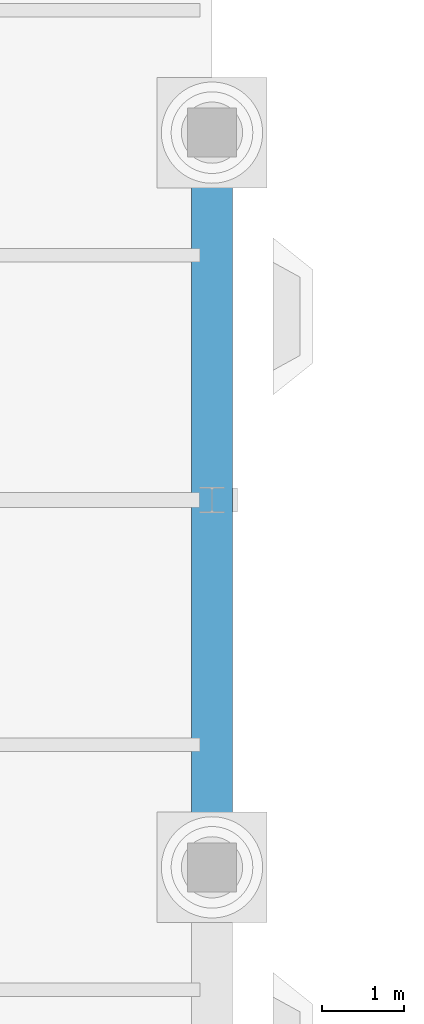
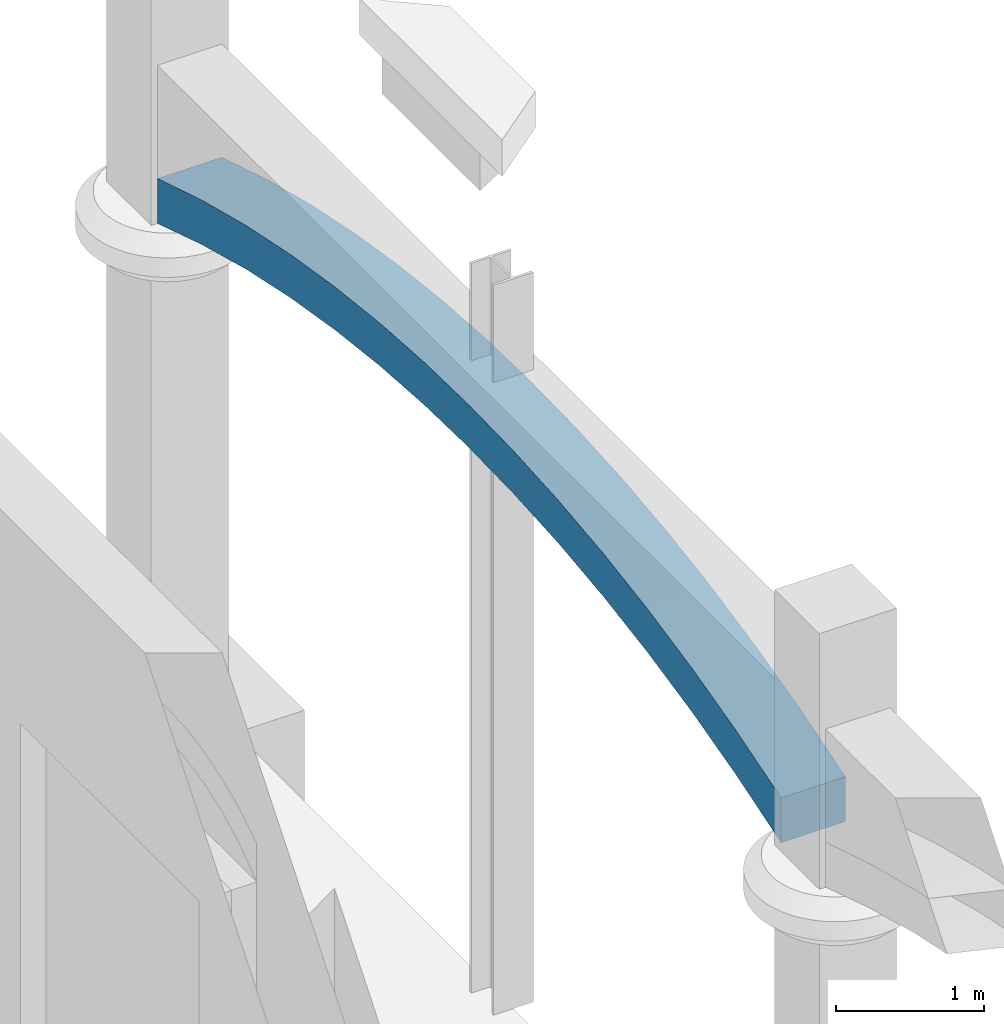
# One storey, part 37 of 106: 1 beam.
"""IFC4 building model written with IfcOpenShell, lengths in metres."""

import ifcopenshell
import ifcopenshell.guid

model = None  # the IFC model being written
_history = None  # IfcOwnerHistory: only IFC2X3 demands one
_inside = {}  # id of a spatial element -> (the spatial element, [elements in it])
_under = {}  # id of a project, library or spatial element -> (it, [spatial elements below it])
_declared = {}  # id of a project -> (the project, [libraries it declares])
_typed = {}  # id of a type object -> (the type object, [elements of that type])
_made_of = {}  # id of a material, layer set ... -> (it, [elements and type objects made of it])


def new_model(schema):
    """Start an empty IFC model of exactly this schema.

    Asked for "IFC4X3", IfcOpenShell would pick the latest addendum, in which some entities
    have other attributes; the version numbers below select the first issue.
    IFC2X3 requires an IfcOwnerHistory on every rooted entity: one is made here for all.
    """
    global model, _history
    if schema == "IFC4X3":
        model = ifcopenshell.file(schema_version=(4, 3, 0, 0))
    else:
        model = ifcopenshell.file(schema=schema)
    _inside.clear()
    _under.clear()
    _declared.clear()
    _typed.clear()
    _made_of.clear()
    _history = None
    if model.schema == "IFC2X3":
        org = make("IfcOrganization", Name="unknown")
        user = make(
            "IfcPersonAndOrganization",
            ThePerson=make("IfcPerson", FamilyName="unknown"),
            TheOrganization=org,
        )
        app = make(
            "IfcApplication",
            ApplicationDeveloper=org,
            Version="unknown",
            ApplicationFullName="unknown",
            ApplicationIdentifier="unknown",
        )
        _history = make(
            "IfcOwnerHistory",
            OwningUser=user,
            OwningApplication=app,
            ChangeAction="ADDED",
            CreationDate=0,
        )
    return model


def make(cls, **values):
    """One entity of the class cls with the attributes given. An attribute that is None is left unset."""
    return model.create_entity(
        cls, **{name: value for name, value in values.items() if value is not None}
    )


def rooted(cls, **values):
    """An entity with a GlobalId (a new one), such as an element, a storey or a relation."""
    return make(cls, GlobalId=ifcopenshell.guid.new(), OwnerHistory=_history, **values)


def si_unit(unit_type, name, prefix=None):
    """IfcSIUnit, for example si_unit("LENGTHUNIT", "METRE", prefix="MILLI")."""
    return make("IfcSIUnit", UnitType=unit_type, Prefix=prefix, Name=name)


def assignment(units):
    """IfcUnitAssignment: the units of a project."""
    return None if units is None else make("IfcUnitAssignment", Units=units)


def point(xyz):
    """IfcCartesianPoint."""
    return None if xyz is None else make("IfcCartesianPoint", Coordinates=xyz)


def direction(xyz):
    """IfcDirection."""
    return None if xyz is None else make("IfcDirection", DirectionRatios=xyz)


def frame(location, z_axis=None, x_axis=None):
    """IfcAxis2Placement3D, a coordinate frame: its origin and axes. An axis left out is left unset."""
    return make(
        "IfcAxis2Placement3D",
        Location=point(location),
        Axis=direction(z_axis),
        RefDirection=direction(x_axis),
    )


def origin():
    """The frame at (0, 0, 0) with its axes left unset."""
    return frame((0.0, 0.0, 0.0))


def place(relative_to, where):
    """IfcLocalPlacement: puts the frame where relative to a parent placement (None: the world)."""
    return make(
        "IfcLocalPlacement", PlacementRelTo=relative_to, RelativePlacement=where
    )


def context(
    kind, dimensions, precision=None, world=None, true_north=None, identifier=None
):
    """IfcGeometricRepresentationContext, for example the 3D "Model" context."""
    return make(
        "IfcGeometricRepresentationContext",
        ContextIdentifier=identifier,
        ContextType=kind,
        CoordinateSpaceDimension=dimensions,
        Precision=precision,
        WorldCoordinateSystem=world,
        TrueNorth=true_north,
    )


def subcontext(parent, identifier, kind, view, scale=None):
    """IfcGeometricRepresentationSubContext, for example "Body" below "Model"."""
    return make(
        "IfcGeometricRepresentationSubContext",
        ContextIdentifier=identifier,
        ContextType=kind,
        ParentContext=parent,
        TargetScale=scale,
        TargetView=view,
    )


def project(units=None, contexts=None):
    """IfcProject with its units and contexts."""
    return rooted(
        "IfcProject",
        Name="project",
        RepresentationContexts=contexts,
        UnitsInContext=assignment(units),
    )


def spatial(cls, under=None, at=None, **own):
    """A site, building, storey or space (cls), placed at a placement, below another one or the project."""
    s = rooted(cls, ObjectPlacement=at, **own)
    if under is not None:
        _under.setdefault(under.id(), (under, []))[1].append(s)
    return s


def polyline(points):
    """IfcPolyline through the points."""
    return make("IfcPolyline", Points=[point(p) for p in points])


def outline(outer, holes=None, kind="AREA"):
    """IfcArbitraryClosedProfileDef: a profile drawn as a closed curve; with holes, ...WithVoids."""
    if holes is None:
        return make("IfcArbitraryClosedProfileDef", ProfileType=kind, OuterCurve=outer)
    return make(
        "IfcArbitraryProfileDefWithVoids",
        ProfileType=kind,
        OuterCurve=outer,
        InnerCurves=holes,
    )


def extrude(swept, where, along, depth):
    """IfcExtrudedAreaSolid: the profile swept, set in the frame where, extruded along a direction by depth."""
    return make(
        "IfcExtrudedAreaSolid",
        SweptArea=swept,
        Position=where,
        ExtrudedDirection=direction(along),
        Depth=depth,
    )


def shape(context_of_items, identifier, shape_type, items):
    """IfcShapeRepresentation: the items that make up one representation, for example the "Body"."""
    return make(
        "IfcShapeRepresentation",
        ContextOfItems=context_of_items,
        RepresentationIdentifier=identifier,
        RepresentationType=shape_type,
        Items=items,
    )


def material(Name=None, Category=None):
    """IfcMaterial."""
    return make("IfcMaterial", Name=Name, Category=Category)


def layer(
    of_material, thickness, ventilated=None, Name=None, Category=None, Priority=None
):
    """IfcMaterialLayer: one layer of a wall or slab, of a material (None: an air gap)."""
    return make(
        "IfcMaterialLayer",
        Material=of_material,
        LayerThickness=thickness,
        IsVentilated=ventilated,
        Name=Name,
        Category=Category,
        Priority=Priority,
    )


def layer_set(layers, Name=None):
    """IfcMaterialLayerSet."""
    return make("IfcMaterialLayerSet", MaterialLayers=layers, LayerSetName=Name)


def made_of(thing, what):
    """Note that an element or type object is made of a material, layer set ...; save() writes the relation."""
    if what is not None:
        _made_of.setdefault(what.id(), (what, []))[1].append(thing)
    return thing


def type_object(cls, material=None, **own):
    """A type object (cls), such as IfcWallType, which elements share."""
    return made_of(rooted(cls, **own), material)


def element(
    cls,
    number,
    at=None,
    inside=None,
    cuts=None,
    type_object=None,
    material=None,
    context=None,
    identifier="Body",
    shape_type=None,
    held_by="IfcProductDefinitionShape",
    body=None,
    shapes=None,
    **own,
):
    """One element of the class cls, such as IfcWall. Its Tag is "e" and its number.

    at: its placement. inside: the storey or other place that contains it. cuts: it is an
    opening in that element (IfcRelVoidsElement). A single representation is given by context,
    identifier, shape_type and body (its items); several are given by shapes. held_by: the class
    of the entity that holds the representations. save() writes the other relations.
    """
    e = rooted(cls, Tag="e%d" % number, ObjectPlacement=at, **own)
    if body is not None:
        shapes = [shape(context, identifier, shape_type, body)]
    if shapes is not None:
        e.Representation = make(held_by, Representations=shapes)
    if inside is not None:
        _inside.setdefault(inside.id(), (inside, []))[1].append(e)
    if cuts is not None:
        rooted(
            "IfcRelVoidsElement", RelatingBuildingElement=cuts, RelatedOpeningElement=e
        )
    if type_object is not None:
        _typed.setdefault(type_object.id(), (type_object, []))[1].append(e)
    return made_of(e, material)


def aggregate(whole, parts):
    """IfcRelAggregates: a whole, such as a stair, and the parts it consists of."""
    return rooted("IfcRelAggregates", RelatingObject=whole, RelatedObjects=parts)


def save(model, path):
    """Write the relations noted so far, then the file.

    IfcRelAggregates (storeys below a building ...), IfcRelContainedInSpatialStructure (elements
    in a storey), IfcRelDefinesByType, IfcRelAssociatesMaterial and IfcRelDeclares: one each for
    every whole, place, type object, material and project.
    """
    for whole, parts in _under.values():
        aggregate(whole, parts)
    for where, things in _inside.values():
        rooted(
            "IfcRelContainedInSpatialStructure",
            RelatedElements=things,
            RelatingStructure=where,
        )
    for kind, things in _typed.values():
        rooted("IfcRelDefinesByType", RelatedObjects=things, RelatingType=kind)
    for what, things in _made_of.values():
        rooted("IfcRelAssociatesMaterial", RelatedObjects=things, RelatingMaterial=what)
    for by, libraries in _declared.values():
        rooted("IfcRelDeclares", RelatingContext=by, RelatedDefinitions=libraries)
    model.write(path)


model = new_model("IFC4")

# Units and contexts
model_context = context("Model", 3, precision=1e-05, world=origin(), true_north=direction((0.0, 1.0)))
body_context = subcontext(model_context, "Body", "Model", "MODEL_VIEW")
ifc_project = project(units=[si_unit("LENGTHUNIT", "METRE"), si_unit("AREAUNIT", "SQUARE_METRE"), si_unit("VOLUMEUNIT", "CUBIC_METRE"), si_unit("PLANEANGLEUNIT", "RADIAN"), si_unit("MASSUNIT", "GRAM", prefix="KILO")], contexts=[model_context])

# Site, building, storey
site_placement = place(None, origin())
site = spatial("IfcSite", under=ifc_project, at=site_placement, CompositionType="ELEMENT")
building_placement = place(site_placement, origin())
building = spatial("IfcBuilding", under=site, at=building_placement, Name="Hortulan Conservatory and Botanical Research Centre", CompositionType="ELEMENT")
storey_placement = place(building_placement, origin())
storey = spatial("IfcBuildingStorey", under=building, at=storey_placement, Name="L00", CompositionType="ELEMENT", Elevation=0.0)

# Beam
ifc_material = material(Name="Sandstone masonry (Hawkesbury yellow block)", Category="masonry")
ifc_layer = layer(ifc_material, 0.5)
ifc_layer_set = layer_set([ifc_layer], Name="Sandstone Arch Ring 500")
beam_type = type_object("IfcBeamType", Name="Sandstone Arch Ring 500", PredefinedType="BEAM", material=ifc_layer_set)
beam_placement = place(storey_placement, frame((31.5, 58.800048828125, 3.89990234375), z_axis=(0.0, 0.0, 1.0), x_axis=(0.0, 1.0, 0.0)))
element("IfcBeam", 1, at=beam_placement, inside=storey, type_object=beam_type, Name="Arch ring", PredefinedType="BEAM", context=body_context, shape_type="SweptSolid", body=[
    extrude(outline(polyline([(0.0, 0.0), (0.60009765625, 0.189697265625), (1.199951171875, 0.347900390625), (1.800048828125, 0.475830078125), (2.39990234375, 0.574462890625), (3.0, 0.644287109375), (3.60009765625, 0.686279296875), (4.199951171875, 0.7001953125), (4.800048828125, 0.686279296875), (5.39990234375, 0.644287109375), (6.0, 0.574462890625), (6.60009765625, 0.475830078125), (7.199951171875, 0.347900390625), (7.800048828125, 0.189697265625), (8.39990234375, 0.0), (8.39990234375, 0.369384765625), (7.800048828125, 0.5537109375), (7.199951171875, 0.707275390625), (6.60009765625, 0.831787109375), (6.0, 0.927734375), (5.39990234375, 0.995849609375), (4.800048828125, 1.03662109375), (4.199951171875, 1.050048828125), (3.60009765625, 1.03662109375), (3.0, 0.995849609375), (2.39990234375, 0.927734375), (1.800048828125, 0.831787109375), (1.199951171875, 0.707275390625), (0.60009765625, 0.5537109375), (0.0, 0.369384765625), (0.0, 0.0)])), frame((0.0, 0.25, 0.0), z_axis=(0.0, -1.0, 0.0), x_axis=(1.0, 0.0, 0.0)), (0.0, 0.0, 1.0), 0.5),
])

save(model, "model.ifc")
